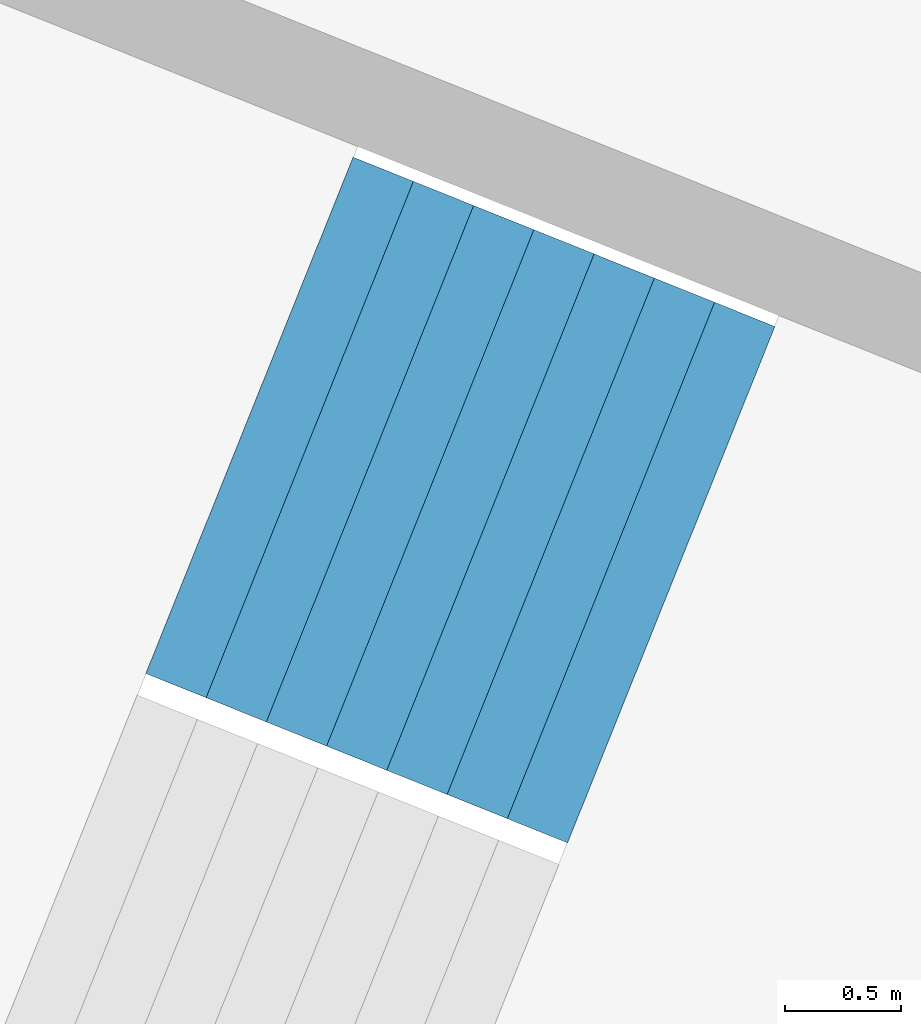
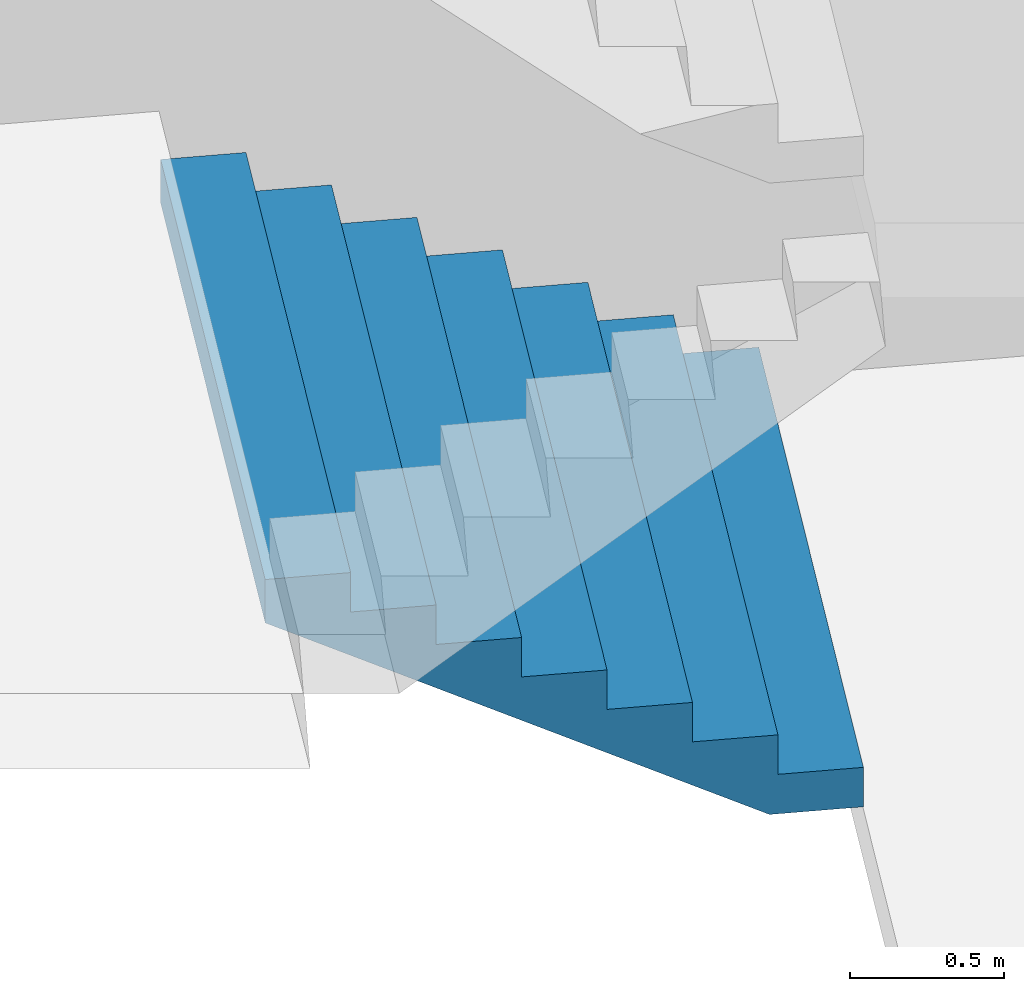
# One storey, part 35 of 73: 1 stair flight, 1 element without a shape of its own.
"""IFC4 building model written with IfcOpenShell, lengths in metres."""

from ifc_helpers import new_model, si_unit, direction, frame, origin, place, context, subcontext, project, spatial, triangles, material, type_object, element, aggregate, save


model = new_model("IFC4")

# Units and contexts
model_context = context("Model", 3, precision=1e-05, world=origin(), true_north=direction((0.0, 1.0)))
body_context = subcontext(model_context, "Body", "Model", "MODEL_VIEW")
ifc_project = project(units=[si_unit("LENGTHUNIT", "METRE"), si_unit("AREAUNIT", "SQUARE_METRE"), si_unit("VOLUMEUNIT", "CUBIC_METRE"), si_unit("PLANEANGLEUNIT", "RADIAN"), si_unit("MASSUNIT", "GRAM", prefix="KILO")], contexts=[model_context])

# Site, building, storey
site_placement = place(None, origin())
site = spatial("IfcSite", under=ifc_project, at=site_placement, CompositionType="ELEMENT")
building_placement = place(site_placement, origin())
building = spatial("IfcBuilding", under=site, at=building_placement, Name="Lantaw Convention Tower", CompositionType="ELEMENT")
storey_placement = place(building_placement, frame((0.0, 0.0, 27.0)))
storey = spatial("IfcBuildingStorey", under=building, at=storey_placement, Name="L04", CompositionType="ELEMENT", Elevation=27.0)

# Stair, stair flight
ifc_material = material(Name="Concrete C35/45", Category="concrete")
stair_type = type_object("IfcStairType", Name="Exit stair 2400 riser 156.25 in 4 flights", PredefinedType="HALF_TURN_STAIR", material=ifc_material)
stair_placement = place(storey_placement, origin())
stair = element("IfcStair", 1, at=stair_placement, inside=storey, type_object=stair_type, Name="Podium exit stair P8 L04", PredefinedType="HALF_TURN_STAIR")
stair_flight_type = type_object("IfcStairFlightType", Name="Stair flight 2400 riser 156.25", PredefinedType="STRAIGHT", material=ifc_material)
stair_flight_placement = place(storey_placement, frame((-35.799560546875, 15.71826171875, 0.0), z_axis=(0.0, 0.0, 1.0), x_axis=(-0.928015168305, 0.372542410198, 0.0)))
stair_flight = element("IfcStairFlight", 2, at=stair_flight_placement, type_object=stair_flight_type, Name="P8 flight 1", NumberOfRisers=8, NumberOfTreads=7, PredefinedType="STRAIGHT", RiserHeight=0.15625, TreadLength=0.28, context=body_context, shape_type="Tessellation", body=[
    triangles([(0.0, 1.199951171875, 0.0), (0.0, 1.199951171875, 0.15625), (0.28, 1.199951171875, 0.0), (0.28, 1.199951171875, 0.15625), (0.28, 1.199951171875, 0.3125), (0.3076200632058044, 1.199951171875, 0.0), (0.3076200632058044, 1.199951171875, 0.3125), (0.56, 1.199951171875, 0.14083701830033238), (0.56, 1.199951171875, 0.3125), (0.56, 1.199951171875, 0.46875), (0.8400000000000001, 1.199951171875, 0.29708701830033235), (0.8400000000000001, 1.199951171875, 0.46875), (0.8400000000000001, 1.199951171875, 0.625), (1.12, 1.199951171875, 0.45333701830033235), (1.12, 1.199951171875, 0.625), (1.12, 1.199951171875, 0.78125), (1.4000000000000001, 1.199951171875, 0.6095870183003324), (1.4000000000000001, 1.199951171875, 0.78125), (1.4000000000000001, 1.199951171875, 0.9375), (1.6800000000000002, 1.199951171875, 0.7658370183003324), (1.6800000000000002, 1.199951171875, 0.9375), (1.6800000000000002, 1.199951171875, 1.09375), (1.9600000000000002, 1.199951171875, 0.9220870183003324), (1.9600000000000002, 1.199951171875, 1.09375), (0.0, -1.199951171875, 0.0), (0.0, -1.199951171875, 0.15625), (0.28, -1.199951171875, 0.0), (0.28, -1.199951171875, 0.15625), (0.28, -1.199951171875, 0.3125), (0.3076200632058044, -1.199951171875, 0.0), (0.3076200632058044, -1.199951171875, 0.3125), (0.56, -1.199951171875, 0.14083701830033238), (0.56, -1.199951171875, 0.3125), (0.56, -1.199951171875, 0.46875), (0.8400000000000001, -1.199951171875, 0.29708701830033235), (0.8400000000000001, -1.199951171875, 0.46875), (0.8400000000000001, -1.199951171875, 0.625), (1.12, -1.199951171875, 0.45333701830033235), (1.12, -1.199951171875, 0.625), (1.12, -1.199951171875, 0.78125), (1.4000000000000001, -1.199951171875, 0.6095870183003324), (1.4000000000000001, -1.199951171875, 0.78125), (1.4000000000000001, -1.199951171875, 0.9375), (1.6800000000000002, -1.199951171875, 0.7658370183003324), (1.6800000000000002, -1.199951171875, 0.9375), (1.6800000000000002, -1.199951171875, 1.09375), (1.9600000000000002, -1.199951171875, 0.9220870183003324), (1.9600000000000002, -1.199951171875, 1.09375), (0.0, 0.239990234375, 0.15625), (0.0, 0.239990234375, 0.0), (0.0, 0.1919921875, 0.15625), (0.0, 0.1919921875, 0.0), (0.0, 0.143994140625, 0.15625), (0.0, 0.143994140625, 0.0), (0.0, 0.09599609375, 0.15625), (0.0, 0.09599609375, 0.0), (0.0, 0.047998046875, 0.15625), (0.0, 0.047998046875, 0.0), (0.0, 0.0, 0.15625), (0.0, 0.0, 0.0), (0.0, -0.047998046875, 0.15625), (0.0, -0.047998046875, 0.0), (0.0, -0.09599609375, 0.15625), (0.0, -0.09599609375, 0.0), (0.0, -0.143994140625, 0.15625), (0.0, -0.143994140625, 0.0), (0.0, -0.1919921875, 0.15625), (0.0, -0.1919921875, 0.0), (0.0, -0.239990234375, 0.15625), (0.0, -0.239990234375, 0.0), (0.28, 0.239990234375, 0.3125), (0.28, 0.239990234375, 0.15625), (0.28, 0.1919921875, 0.3125), (0.28, 0.1919921875, 0.15625), (0.28, 0.143994140625, 0.3125), (0.28, 0.143994140625, 0.15625), (0.28, 0.09599609375, 0.3125), (0.28, 0.09599609375, 0.15625), (0.28, 0.047998046875, 0.3125), (0.28, 0.047998046875, 0.15625), (0.28, 0.0, 0.3125), (0.28, 0.0, 0.15625), (0.28, -0.047998046875, 0.3125), (0.28, -0.047998046875, 0.15625), (0.28, -0.09599609375, 0.3125), (0.28, -0.09599609375, 0.15625), (0.28, -0.143994140625, 0.3125), (0.28, -0.143994140625, 0.15625), (0.28, -0.1919921875, 0.3125), (0.28, -0.1919921875, 0.15625), (0.28, -0.239990234375, 0.3125), (0.28, -0.239990234375, 0.15625), (0.56, 0.239990234375, 0.46875), (0.56, 0.239990234375, 0.3125), (0.56, 0.1919921875, 0.46875), (0.56, 0.1919921875, 0.3125), (0.56, 0.143994140625, 0.46875), (0.56, 0.143994140625, 0.3125), (0.56, 0.09599609375, 0.46875), (0.56, 0.09599609375, 0.3125), (0.56, 0.047998046875, 0.46875), (0.56, 0.047998046875, 0.3125), (0.56, 0.0, 0.46875), (0.56, 0.0, 0.3125), (0.56, -0.047998046875, 0.46875), (0.56, -0.047998046875, 0.3125), (0.56, -0.09599609375, 0.46875), (0.56, -0.09599609375, 0.3125), (0.56, -0.143994140625, 0.46875), (0.56, -0.143994140625, 0.3125), (0.56, -0.1919921875, 0.46875), (0.56, -0.1919921875, 0.3125), (0.56, -0.239990234375, 0.46875), (0.56, -0.239990234375, 0.3125), (0.8400000000000001, 0.239990234375, 0.625), (0.8400000000000001, 0.239990234375, 0.46875), (0.8400000000000001, 0.1919921875, 0.625), (0.8400000000000001, 0.1919921875, 0.46875), (0.8400000000000001, 0.143994140625, 0.625), (0.8400000000000001, 0.143994140625, 0.46875), (0.8400000000000001, 0.09599609375, 0.625), (0.8400000000000001, 0.09599609375, 0.46875), (0.8400000000000001, 0.047998046875, 0.625), (0.8400000000000001, 0.047998046875, 0.46875), (0.8400000000000001, 0.0, 0.625), (0.8400000000000001, 0.0, 0.46875), (0.8400000000000001, -0.047998046875, 0.625), (0.8400000000000001, -0.047998046875, 0.46875), (0.8400000000000001, -0.09599609375, 0.625), (0.8400000000000001, -0.09599609375, 0.46875), (0.8400000000000001, -0.143994140625, 0.625), (0.8400000000000001, -0.143994140625, 0.46875), (0.8400000000000001, -0.1919921875, 0.625), (0.8400000000000001, -0.1919921875, 0.46875), (0.8400000000000001, -0.239990234375, 0.625), (0.8400000000000001, -0.239990234375, 0.46875), (1.12, 0.239990234375, 0.78125), (1.12, 0.239990234375, 0.625), (1.12, 0.1919921875, 0.78125), (1.12, 0.1919921875, 0.625), (1.12, 0.143994140625, 0.78125), (1.12, 0.143994140625, 0.625), (1.12, 0.09599609375, 0.78125), (1.12, 0.09599609375, 0.625), (1.12, 0.047998046875, 0.78125), (1.12, 0.047998046875, 0.625), (1.12, 0.0, 0.78125), (1.12, 0.0, 0.625), (1.12, -0.047998046875, 0.78125), (1.12, -0.047998046875, 0.625), (1.12, -0.09599609375, 0.78125), (1.12, -0.09599609375, 0.625), (1.12, -0.143994140625, 0.78125), (1.12, -0.143994140625, 0.625), (1.12, -0.1919921875, 0.78125), (1.12, -0.1919921875, 0.625), (1.12, -0.239990234375, 0.78125), (1.12, -0.239990234375, 0.625), (1.4000000000000001, 0.239990234375, 0.9375), (1.4000000000000001, 0.239990234375, 0.78125), (1.4000000000000001, 0.1919921875, 0.9375), (1.4000000000000001, 0.1919921875, 0.78125), (1.4000000000000001, 0.143994140625, 0.9375), (1.4000000000000001, 0.143994140625, 0.78125), (1.4000000000000001, 0.09599609375, 0.9375), (1.4000000000000001, 0.09599609375, 0.78125), (1.4000000000000001, 0.047998046875, 0.9375), (1.4000000000000001, 0.047998046875, 0.78125), (1.4000000000000001, 0.0, 0.9375), (1.4000000000000001, 0.0, 0.78125), (1.4000000000000001, -0.047998046875, 0.9375), (1.4000000000000001, -0.047998046875, 0.78125), (1.4000000000000001, -0.09599609375, 0.9375), (1.4000000000000001, -0.09599609375, 0.78125), (1.4000000000000001, -0.143994140625, 0.9375), (1.4000000000000001, -0.143994140625, 0.78125), (1.4000000000000001, -0.1919921875, 0.9375), (1.4000000000000001, -0.1919921875, 0.78125), (1.4000000000000001, -0.239990234375, 0.9375), (1.4000000000000001, -0.239990234375, 0.78125), (1.6800000000000002, 0.239990234375, 1.09375), (1.6800000000000002, 0.239990234375, 0.9375), (1.6800000000000002, 0.1919921875, 1.09375), (1.6800000000000002, 0.1919921875, 0.9375), (1.6800000000000002, 0.143994140625, 1.09375), (1.6800000000000002, 0.143994140625, 0.9375), (1.6800000000000002, 0.09599609375, 1.09375), (1.6800000000000002, 0.09599609375, 0.9375), (1.6800000000000002, 0.047998046875, 1.09375), (1.6800000000000002, 0.047998046875, 0.9375), (1.6800000000000002, 0.0, 1.09375), (1.6800000000000002, 0.0, 0.9375), (1.6800000000000002, -0.047998046875, 1.09375), (1.6800000000000002, -0.047998046875, 0.9375), (1.6800000000000002, -0.09599609375, 1.09375), (1.6800000000000002, -0.09599609375, 0.9375), (1.6800000000000002, -0.143994140625, 1.09375), (1.6800000000000002, -0.143994140625, 0.9375), (1.6800000000000002, -0.1919921875, 1.09375), (1.6800000000000002, -0.1919921875, 0.9375), (1.6800000000000002, -0.239990234375, 1.09375), (1.6800000000000002, -0.239990234375, 0.9375), (0.3076200632058044, 0.239990234375, 0.3125), (0.3076200632058044, 0.1919921875, 0.3125), (0.3076200632058044, 0.143994140625, 0.3125), (0.3076200632058044, 0.09599609375, 0.3125), (0.3076200632058044, 0.047998046875, 0.3125), (0.3076200632058044, 0.0, 0.3125), (0.3076200632058044, -0.047998046875, 0.3125), (0.3076200632058044, -0.09599609375, 0.3125), (0.3076200632058044, -0.143994140625, 0.3125), (0.3076200632058044, -0.1919921875, 0.3125), (0.3076200632058044, -0.239990234375, 0.3125), (1.9600000000000002, 0.239990234375, 1.09375), (1.9600000000000002, 0.1919921875, 1.09375), (1.9600000000000002, 0.143994140625, 1.09375), (1.9600000000000002, 0.09599609375, 1.09375), (1.9600000000000002, 0.047998046875, 1.09375), (1.9600000000000002, 0.0, 1.09375), (1.9600000000000002, -0.047998046875, 1.09375), (1.9600000000000002, -0.09599609375, 1.09375), (1.9600000000000002, -0.143994140625, 1.09375), (1.9600000000000002, -0.1919921875, 1.09375), (1.9600000000000002, -0.239990234375, 1.09375), (1.9600000000000002, 0.239990234375, 0.9220870183003324), (1.9600000000000002, 0.1919921875, 0.9220870183003324), (1.9600000000000002, 0.143994140625, 0.9220870183003324), (1.9600000000000002, 0.09599609375, 0.9220870183003324), (1.9600000000000002, 0.047998046875, 0.9220870183003324), (1.9600000000000002, 0.0, 0.9220870183003324), (1.9600000000000002, -0.047998046875, 0.9220870183003324), (1.9600000000000002, -0.09599609375, 0.9220870183003324), (1.9600000000000002, -0.143994140625, 0.9220870183003324), (1.9600000000000002, -0.1919921875, 0.9220870183003324), (1.9600000000000002, -0.239990234375, 0.9220870183003324), (1.6800000000000002, 0.239990234375, 0.7658370183003324), (1.6800000000000002, 0.1919921875, 0.7658370183003324), (1.6800000000000002, 0.143994140625, 0.7658370183003324), (1.6800000000000002, 0.09599609375, 0.7658370183003324), (1.6800000000000002, 0.047998046875, 0.7658370183003324), (1.6800000000000002, 0.0, 0.7658370183003324), (1.6800000000000002, -0.047998046875, 0.7658370183003324), (1.6800000000000002, -0.09599609375, 0.7658370183003324), (1.6800000000000002, -0.143994140625, 0.7658370183003324), (1.6800000000000002, -0.1919921875, 0.7658370183003324), (1.6800000000000002, -0.239990234375, 0.7658370183003324), (1.4000000000000001, 0.239990234375, 0.6095870183003324), (1.4000000000000001, 0.1919921875, 0.6095870183003324), (1.4000000000000001, 0.143994140625, 0.6095870183003324), (1.4000000000000001, 0.09599609375, 0.6095870183003324), (1.4000000000000001, 0.047998046875, 0.6095870183003324), (1.4000000000000001, 0.0, 0.6095870183003324), (1.4000000000000001, -0.047998046875, 0.6095870183003324), (1.4000000000000001, -0.09599609375, 0.6095870183003324), (1.4000000000000001, -0.143994140625, 0.6095870183003324), (1.4000000000000001, -0.1919921875, 0.6095870183003324), (1.4000000000000001, -0.239990234375, 0.6095870183003324), (1.12, 0.239990234375, 0.45333701830033235), (1.12, 0.1919921875, 0.45333701830033235), (1.12, 0.143994140625, 0.45333701830033235), (1.12, 0.09599609375, 0.45333701830033235), (1.12, 0.047998046875, 0.45333701830033235), (1.12, 0.0, 0.45333701830033235), (1.12, -0.047998046875, 0.45333701830033235), (1.12, -0.09599609375, 0.45333701830033235), (1.12, -0.143994140625, 0.45333701830033235), (1.12, -0.1919921875, 0.45333701830033235), (1.12, -0.239990234375, 0.45333701830033235), (0.8400000000000001, 0.239990234375, 0.29708701830033235), (0.8400000000000001, 0.1919921875, 0.29708701830033235), (0.8400000000000001, 0.143994140625, 0.29708701830033235), (0.8400000000000001, 0.09599609375, 0.29708701830033235), (0.8400000000000001, 0.047998046875, 0.29708701830033235), (0.8400000000000001, 0.0, 0.29708701830033235), (0.8400000000000001, -0.047998046875, 0.29708701830033235), (0.8400000000000001, -0.09599609375, 0.29708701830033235), (0.8400000000000001, -0.143994140625, 0.29708701830033235), (0.8400000000000001, -0.1919921875, 0.29708701830033235), (0.8400000000000001, -0.239990234375, 0.29708701830033235), (0.56, 0.239990234375, 0.14083701830033238), (0.56, 0.1919921875, 0.14083701830033238), (0.56, 0.143994140625, 0.14083701830033238), (0.56, 0.09599609375, 0.14083701830033238), (0.56, 0.047998046875, 0.14083701830033238), (0.56, 0.0, 0.14083701830033238), (0.56, -0.047998046875, 0.14083701830033238), (0.56, -0.09599609375, 0.14083701830033238), (0.56, -0.143994140625, 0.14083701830033238), (0.56, -0.1919921875, 0.14083701830033238), (0.56, -0.239990234375, 0.14083701830033238), (0.3076200632058044, 0.239990234375, 0.0), (0.3076200632058044, 0.1919921875, 0.0), (0.3076200632058044, 0.143994140625, 0.0), (0.3076200632058044, 0.09599609375, 0.0), (0.3076200632058044, 0.047998046875, 0.0), (0.3076200632058044, 0.0, 0.0), (0.3076200632058044, -0.047998046875, 0.0), (0.3076200632058044, -0.09599609375, 0.0), (0.3076200632058044, -0.143994140625, 0.0), (0.3076200632058044, -0.1919921875, 0.0), (0.3076200632058044, -0.239990234375, 0.0), (0.28, 0.239990234375, 0.0), (0.28, 0.1919921875, 0.0), (0.28, 0.143994140625, 0.0), (0.28, 0.09599609375, 0.0), (0.28, 0.047998046875, 0.0), (0.28, 0.0, 0.0), (0.28, -0.047998046875, 0.0), (0.28, -0.09599609375, 0.0), (0.28, -0.143994140625, 0.0), (0.28, -0.1919921875, 0.0), (0.28, -0.239990234375, 0.0)], [[1, 4, 3], [1, 2, 4], [3, 4, 6], [4, 7, 6], [4, 5, 7], [6, 9, 8], [6, 7, 9], [8, 9, 11], [9, 12, 11], [9, 10, 12], [11, 12, 14], [12, 15, 14], [12, 13, 15], [14, 15, 17], [15, 18, 17], [15, 16, 18], [17, 18, 20], [18, 21, 20], [18, 19, 21], [20, 21, 23], [21, 24, 23], [21, 22, 24], [25, 27, 28], [25, 28, 26], [27, 30, 28], [28, 30, 31], [28, 31, 29], [30, 32, 33], [30, 33, 31], [32, 35, 33], [33, 35, 36], [33, 36, 34], [35, 38, 36], [36, 38, 39], [36, 39, 37], [38, 41, 39], [39, 41, 42], [39, 42, 40], [41, 44, 42], [42, 44, 45], [42, 45, 43], [44, 47, 45], [45, 47, 48], [45, 48, 46], [1, 49, 2], [1, 50, 49], [50, 51, 49], [50, 52, 51], [52, 53, 51], [52, 54, 53], [54, 55, 53], [54, 56, 55], [56, 57, 55], [56, 58, 57], [58, 59, 57], [58, 60, 59], [60, 61, 59], [60, 62, 61], [62, 63, 61], [62, 64, 63], [64, 65, 63], [64, 66, 65], [66, 67, 65], [66, 68, 67], [68, 69, 67], [68, 70, 69], [70, 26, 69], [70, 25, 26], [4, 71, 5], [4, 72, 71], [72, 73, 71], [72, 74, 73], [74, 75, 73], [74, 76, 75], [76, 77, 75], [76, 78, 77], [78, 79, 77], [78, 80, 79], [80, 81, 79], [80, 82, 81], [82, 83, 81], [82, 84, 83], [84, 85, 83], [84, 86, 85], [86, 87, 85], [86, 88, 87], [88, 89, 87], [88, 90, 89], [90, 91, 89], [90, 92, 91], [92, 29, 91], [92, 28, 29], [9, 93, 10], [9, 94, 93], [94, 95, 93], [94, 96, 95], [96, 97, 95], [96, 98, 97], [98, 99, 97], [98, 100, 99], [100, 101, 99], [100, 102, 101], [102, 103, 101], [102, 104, 103], [104, 105, 103], [104, 106, 105], [106, 107, 105], [106, 108, 107], [108, 109, 107], [108, 110, 109], [110, 111, 109], [110, 112, 111], [112, 113, 111], [112, 114, 113], [114, 34, 113], [114, 33, 34], [12, 115, 13], [12, 116, 115], [116, 117, 115], [116, 118, 117], [118, 119, 117], [118, 120, 119], [120, 121, 119], [120, 122, 121], [122, 123, 121], [122, 124, 123], [124, 125, 123], [124, 126, 125], [126, 127, 125], [126, 128, 127], [128, 129, 127], [128, 130, 129], [130, 131, 129], [130, 132, 131], [132, 133, 131], [132, 134, 133], [134, 135, 133], [134, 136, 135], [136, 37, 135], [136, 36, 37], [15, 137, 16], [15, 138, 137], [138, 139, 137], [138, 140, 139], [140, 141, 139], [140, 142, 141], [142, 143, 141], [142, 144, 143], [144, 145, 143], [144, 146, 145], [146, 147, 145], [146, 148, 147], [148, 149, 147], [148, 150, 149], [150, 151, 149], [150, 152, 151], [152, 153, 151], [152, 154, 153], [154, 155, 153], [154, 156, 155], [156, 157, 155], [156, 158, 157], [158, 40, 157], [158, 39, 40], [18, 159, 19], [18, 160, 159], [160, 161, 159], [160, 162, 161], [162, 163, 161], [162, 164, 163], [164, 165, 163], [164, 166, 165], [166, 167, 165], [166, 168, 167], [168, 169, 167], [168, 170, 169], [170, 171, 169], [170, 172, 171], [172, 173, 171], [172, 174, 173], [174, 175, 173], [174, 176, 175], [176, 177, 175], [176, 178, 177], [178, 179, 177], [178, 180, 179], [180, 43, 179], [180, 42, 43], [21, 181, 22], [21, 182, 181], [182, 183, 181], [182, 184, 183], [184, 185, 183], [184, 186, 185], [186, 187, 185], [186, 188, 187], [188, 189, 187], [188, 190, 189], [190, 191, 189], [190, 192, 191], [192, 193, 191], [192, 194, 193], [194, 195, 193], [194, 196, 195], [196, 197, 195], [196, 198, 197], [198, 199, 197], [198, 200, 199], [200, 201, 199], [200, 202, 201], [202, 46, 201], [202, 45, 46], [2, 72, 4], [2, 49, 72], [49, 74, 72], [49, 51, 74], [51, 76, 74], [51, 53, 76], [53, 78, 76], [53, 55, 78], [55, 80, 78], [55, 57, 80], [57, 82, 80], [57, 59, 82], [59, 84, 82], [59, 61, 84], [61, 86, 84], [61, 63, 86], [63, 88, 86], [63, 65, 88], [65, 90, 88], [65, 67, 90], [67, 92, 90], [67, 69, 92], [69, 28, 92], [69, 26, 28], [5, 203, 7], [5, 71, 203], [71, 204, 203], [71, 73, 204], [73, 205, 204], [73, 75, 205], [75, 206, 205], [75, 77, 206], [77, 207, 206], [77, 79, 207], [79, 208, 207], [79, 81, 208], [81, 209, 208], [81, 83, 209], [83, 210, 209], [83, 85, 210], [85, 211, 210], [85, 87, 211], [87, 212, 211], [87, 89, 212], [89, 213, 212], [89, 91, 213], [91, 31, 213], [91, 29, 31], [7, 94, 9], [7, 203, 94], [203, 96, 94], [203, 204, 96], [204, 98, 96], [204, 205, 98], [205, 100, 98], [205, 206, 100], [206, 102, 100], [206, 207, 102], [207, 104, 102], [207, 208, 104], [208, 106, 104], [208, 209, 106], [209, 108, 106], [209, 210, 108], [210, 110, 108], [210, 211, 110], [211, 112, 110], [211, 212, 112], [212, 114, 112], [212, 213, 114], [213, 33, 114], [213, 31, 33], [10, 116, 12], [10, 93, 116], [93, 118, 116], [93, 95, 118], [95, 120, 118], [95, 97, 120], [97, 122, 120], [97, 99, 122], [99, 124, 122], [99, 101, 124], [101, 126, 124], [101, 103, 126], [103, 128, 126], [103, 105, 128], [105, 130, 128], [105, 107, 130], [107, 132, 130], [107, 109, 132], [109, 134, 132], [109, 111, 134], [111, 136, 134], [111, 113, 136], [113, 36, 136], [113, 34, 36], [13, 138, 15], [13, 115, 138], [115, 140, 138], [115, 117, 140], [117, 142, 140], [117, 119, 142], [119, 144, 142], [119, 121, 144], [121, 146, 144], [121, 123, 146], [123, 148, 146], [123, 125, 148], [125, 150, 148], [125, 127, 150], [127, 152, 150], [127, 129, 152], [129, 154, 152], [129, 131, 154], [131, 156, 154], [131, 133, 156], [133, 158, 156], [133, 135, 158], [135, 39, 158], [135, 37, 39], [16, 160, 18], [16, 137, 160], [137, 162, 160], [137, 139, 162], [139, 164, 162], [139, 141, 164], [141, 166, 164], [141, 143, 166], [143, 168, 166], [143, 145, 168], [145, 170, 168], [145, 147, 170], [147, 172, 170], [147, 149, 172], [149, 174, 172], [149, 151, 174], [151, 176, 174], [151, 153, 176], [153, 178, 176], [153, 155, 178], [155, 180, 178], [155, 157, 180], [157, 42, 180], [157, 40, 42], [19, 182, 21], [19, 159, 182], [159, 184, 182], [159, 161, 184], [161, 186, 184], [161, 163, 186], [163, 188, 186], [163, 165, 188], [165, 190, 188], [165, 167, 190], [167, 192, 190], [167, 169, 192], [169, 194, 192], [169, 171, 194], [171, 196, 194], [171, 173, 196], [173, 198, 196], [173, 175, 198], [175, 200, 198], [175, 177, 200], [177, 202, 200], [177, 179, 202], [179, 45, 202], [179, 43, 45], [22, 214, 24], [22, 181, 214], [181, 215, 214], [181, 183, 215], [183, 216, 215], [183, 185, 216], [185, 217, 216], [185, 187, 217], [187, 218, 217], [187, 189, 218], [189, 219, 218], [189, 191, 219], [191, 220, 219], [191, 193, 220], [193, 221, 220], [193, 195, 221], [195, 222, 221], [195, 197, 222], [197, 223, 222], [197, 199, 223], [199, 224, 223], [199, 201, 224], [201, 48, 224], [201, 46, 48], [24, 225, 23], [24, 214, 225], [214, 226, 225], [214, 215, 226], [215, 227, 226], [215, 216, 227], [216, 228, 227], [216, 217, 228], [217, 229, 228], [217, 218, 229], [218, 230, 229], [218, 219, 230], [219, 231, 230], [219, 220, 231], [220, 232, 231], [220, 221, 232], [221, 233, 232], [221, 222, 233], [222, 234, 233], [222, 223, 234], [223, 235, 234], [223, 224, 235], [224, 47, 235], [224, 48, 47], [23, 236, 20], [23, 225, 236], [225, 237, 236], [225, 226, 237], [226, 238, 237], [226, 227, 238], [227, 239, 238], [227, 228, 239], [228, 240, 239], [228, 229, 240], [229, 241, 240], [229, 230, 241], [230, 242, 241], [230, 231, 242], [231, 243, 242], [231, 232, 243], [232, 244, 243], [232, 233, 244], [233, 245, 244], [233, 234, 245], [234, 246, 245], [234, 235, 246], [235, 44, 246], [235, 47, 44], [20, 247, 17], [20, 236, 247], [236, 248, 247], [236, 237, 248], [237, 249, 248], [237, 238, 249], [238, 250, 249], [238, 239, 250], [239, 251, 250], [239, 240, 251], [240, 252, 251], [240, 241, 252], [241, 253, 252], [241, 242, 253], [242, 254, 253], [242, 243, 254], [243, 255, 254], [243, 244, 255], [244, 256, 255], [244, 245, 256], [245, 257, 256], [245, 246, 257], [246, 41, 257], [246, 44, 41], [17, 258, 14], [17, 247, 258], [247, 259, 258], [247, 248, 259], [248, 260, 259], [248, 249, 260], [249, 261, 260], [249, 250, 261], [250, 262, 261], [250, 251, 262], [251, 263, 262], [251, 252, 263], [252, 264, 263], [252, 253, 264], [253, 265, 264], [253, 254, 265], [254, 266, 265], [254, 255, 266], [255, 267, 266], [255, 256, 267], [256, 268, 267], [256, 257, 268], [257, 38, 268], [257, 41, 38], [14, 269, 11], [14, 258, 269], [258, 270, 269], [258, 259, 270], [259, 271, 270], [259, 260, 271], [260, 272, 271], [260, 261, 272], [261, 273, 272], [261, 262, 273], [262, 274, 273], [262, 263, 274], [263, 275, 274], [263, 264, 275], [264, 276, 275], [264, 265, 276], [265, 277, 276], [265, 266, 277], [266, 278, 277], [266, 267, 278], [267, 279, 278], [267, 268, 279], [268, 35, 279], [268, 38, 35], [11, 280, 8], [11, 269, 280], [269, 281, 280], [269, 270, 281], [270, 282, 281], [270, 271, 282], [271, 283, 282], [271, 272, 283], [272, 284, 283], [272, 273, 284], [273, 285, 284], [273, 274, 285], [274, 286, 285], [274, 275, 286], [275, 287, 286], [275, 276, 287], [276, 288, 287], [276, 277, 288], [277, 289, 288], [277, 278, 289], [278, 290, 289], [278, 279, 290], [279, 32, 290], [279, 35, 32], [8, 291, 6], [8, 280, 291], [280, 292, 291], [280, 281, 292], [281, 293, 292], [281, 282, 293], [282, 294, 293], [282, 283, 294], [283, 295, 294], [283, 284, 295], [284, 296, 295], [284, 285, 296], [285, 297, 296], [285, 286, 297], [286, 298, 297], [286, 287, 298], [287, 299, 298], [287, 288, 299], [288, 300, 299], [288, 289, 300], [289, 301, 300], [289, 290, 301], [290, 30, 301], [290, 32, 30], [6, 302, 3], [6, 291, 302], [291, 303, 302], [291, 292, 303], [292, 304, 303], [292, 293, 304], [293, 305, 304], [293, 294, 305], [294, 306, 305], [294, 295, 306], [295, 307, 306], [295, 296, 307], [296, 308, 307], [296, 297, 308], [297, 309, 308], [297, 298, 309], [298, 310, 309], [298, 299, 310], [299, 311, 310], [299, 300, 311], [300, 312, 311], [300, 301, 312], [301, 27, 312], [301, 30, 27], [3, 50, 1], [3, 302, 50], [302, 52, 50], [302, 303, 52], [303, 54, 52], [303, 304, 54], [304, 56, 54], [304, 305, 56], [305, 58, 56], [305, 306, 58], [306, 60, 58], [306, 307, 60], [307, 62, 60], [307, 308, 62], [308, 64, 62], [308, 309, 64], [309, 66, 64], [309, 310, 66], [310, 68, 66], [310, 311, 68], [311, 70, 68], [311, 312, 70], [312, 25, 70], [312, 27, 25]], closed=True),
])
aggregate(stair, [stair_flight])

save(model, "model.ifc")
